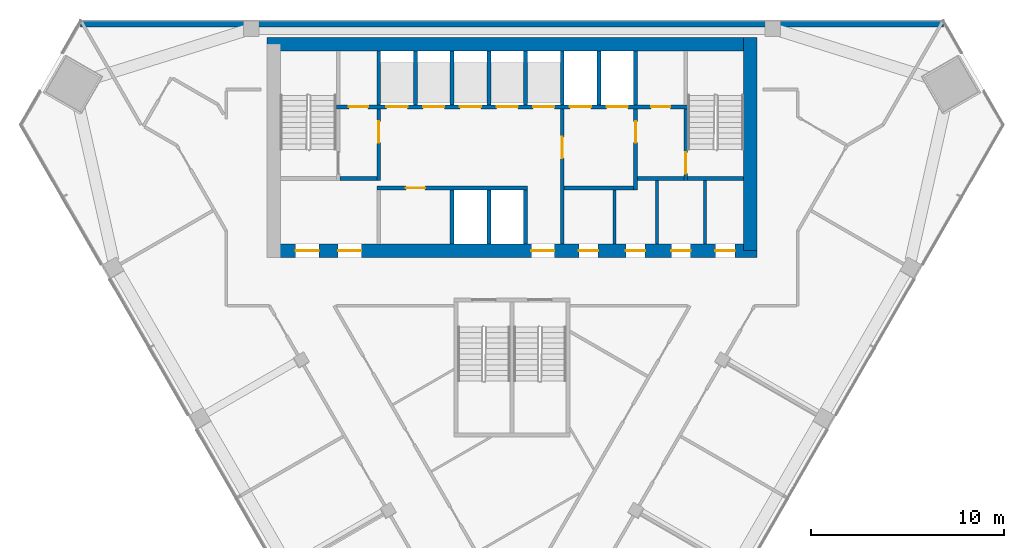
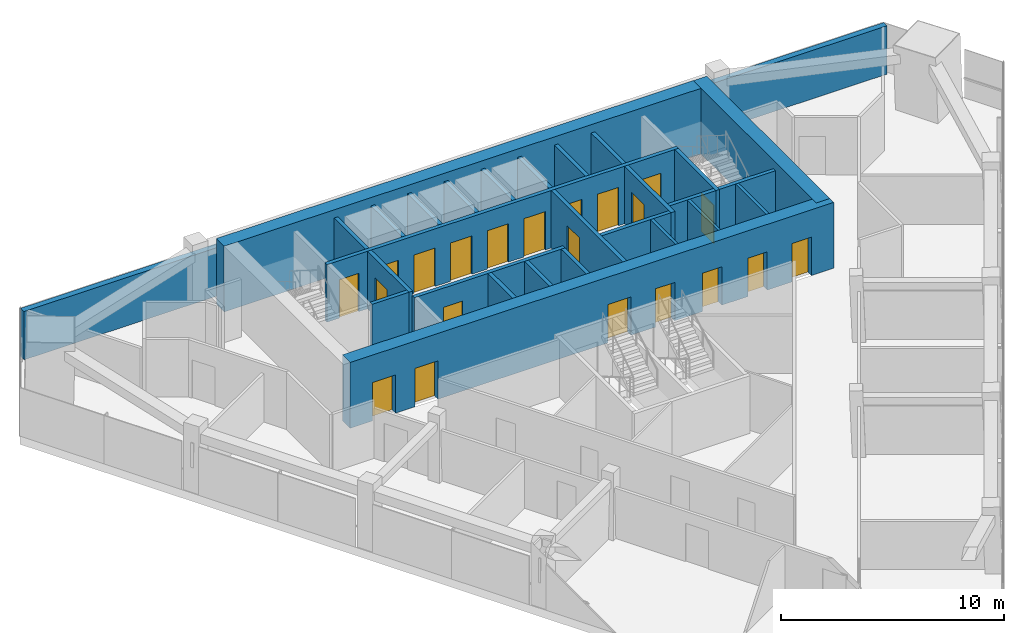
# One storey, part 10 of 13: 28 walls, 21 doors, 21 openings.
"""IFC4 building model written with IfcOpenShell, lengths in metres."""

from ifc_helpers import new_model, si_unit, direction, frame, frame_2d, origin, place, context, subcontext, project, spatial, rectangle, extrude, material, layer, layer_set, type_object, element, fill, save


model = new_model("IFC4")

# Units and contexts
model_context = context("Model", 3, precision=1e-05, world=origin(), true_north=direction((0.0, 1.0)))
body_context = subcontext(model_context, "Body", "Model", "MODEL_VIEW")
ifc_project = project(units=[si_unit("LENGTHUNIT", "METRE"), si_unit("AREAUNIT", "SQUARE_METRE"), si_unit("VOLUMEUNIT", "CUBIC_METRE"), si_unit("PLANEANGLEUNIT", "RADIAN"), si_unit("MASSUNIT", "GRAM", prefix="KILO")], contexts=[model_context])

# Site, building, storey
site_placement = place(None, origin())
site = spatial("IfcSite", under=ifc_project, at=site_placement, CompositionType="ELEMENT")
building_placement = place(site_placement, origin())
building = spatial("IfcBuilding", under=site, at=building_placement, Name="Altiplano Prism Tower", CompositionType="ELEMENT")
storey_placement = place(building_placement, frame((0.0, 0.0, 201.60009765625)))
storey = spatial("IfcBuildingStorey", under=building, at=storey_placement, Name="L52", CompositionType="ELEMENT", Elevation=201.60009765625)

# Wall, openings, doors
ifc_material_1 = material(Name="Concrete C60/75", Category="concrete")
ifc_layer_1 = layer(ifc_material_1, 0.699951171875)
ifc_layer_set_1 = layer_set([ifc_layer_1], Name="Concrete C60/75")
wall_type_1 = type_object("IfcWallType", Name="Core wall 700", PredefinedType="SHEAR", material=ifc_layer_set_1)
wall_1_placement = place(storey_placement, frame((72.64990234375, 93.050048828125, 0.0), z_axis=(0.0, 0.0, 1.0), x_axis=(1.0, 0.0, 0.0)))
wall_1 = element("IfcWall", 1, at=wall_1_placement, inside=storey, type_object=wall_type_1, Name="Core wall S L52", PredefinedType="SHEAR", context=body_context, shape_type="SweptSolid", body=[
    extrude(rectangle(XDim=25.050048828125, YDim=0.699951171875, at=frame_2d((12.52490234375, 0.0))), origin(), (0.0, 0.0, 1.0), 3.599853515625),
])
opening_1_placement = place(wall_1_placement, frame((1.14990234375, 0.0, 0.0)))
opening_1 = element("IfcOpeningElement", 2, at=opening_1_placement, cuts=wall_1, Name="Opening D3302", PredefinedType="OPENING", context=body_context, shape_type="SweptSolid", body=[
    extrude(rectangle(XDim=1.199951171875, YDim=2.10009765625, at=frame_2d((0.60009765625, 1.050048828125))), frame((0.0, 0.3603515625, 0.0), z_axis=(0.0, -1.0, 0.0), x_axis=(1.0, 0.0, 0.0)), (0.0, 0.0, 1.0), 0.720947265625),
])
opening_2_placement = place(wall_1_placement, frame((3.35009765625, 0.0, 0.0)))
opening_2 = element("IfcOpeningElement", 3, at=opening_2_placement, cuts=wall_1, Name="Opening D3303", PredefinedType="OPENING", context=body_context, shape_type="SweptSolid", body=[
    extrude(rectangle(XDim=1.199951171875, YDim=2.10009765625, at=frame_2d((0.60009765625, 1.050048828125))), frame((0.0, 0.3603515625, 0.0), z_axis=(0.0, -1.0, 0.0), x_axis=(1.0, 0.0, 0.0)), (0.0, 0.0, 1.0), 0.720947265625),
])
opening_3_placement = place(wall_1_placement, frame((13.35009765625, 0.0, 0.0)))
opening_3 = element("IfcOpeningElement", 4, at=opening_3_placement, cuts=wall_1, Name="Opening D3304", PredefinedType="OPENING", context=body_context, shape_type="SweptSolid", body=[
    extrude(rectangle(XDim=1.199951171875, YDim=2.10009765625, at=frame_2d((0.60009765625, 1.050048828125))), frame((0.0, 0.3603515625, 0.0), z_axis=(0.0, -1.0, 0.0), x_axis=(1.0, 0.0, 0.0)), (0.0, 0.0, 1.0), 0.720947265625),
])
opening_4_placement = place(wall_1_placement, frame((15.8125, 0.0, 0.0)))
opening_4 = element("IfcOpeningElement", 5, at=opening_4_placement, cuts=wall_1, Name="Opening D3307", PredefinedType="OPENING", context=body_context, shape_type="SweptSolid", body=[
    extrude(rectangle(XDim=1.0, YDim=2.10009765625, at=frame_2d((0.5, 1.050048828125))), frame((0.0, 0.3603515625, 0.0), z_axis=(0.0, -1.0, 0.0), x_axis=(1.0, 0.0, 0.0)), (0.0, 0.0, 1.0), 0.720947265625),
])
opening_5_placement = place(wall_1_placement, frame((18.25, 0.0, 0.0)))
opening_5 = element("IfcOpeningElement", 6, at=opening_5_placement, cuts=wall_1, Name="Opening D3308", PredefinedType="OPENING", context=body_context, shape_type="SweptSolid", body=[
    extrude(rectangle(XDim=1.0, YDim=2.10009765625, at=frame_2d((0.5, 1.050048828125))), frame((0.0, 0.3603515625, 0.0), z_axis=(0.0, -1.0, 0.0), x_axis=(1.0, 0.0, 0.0)), (0.0, 0.0, 1.0), 0.720947265625),
])
opening_6_placement = place(wall_1_placement, frame((20.60009765625, 0.0, 0.0)))
opening_6 = element("IfcOpeningElement", 7, at=opening_6_placement, cuts=wall_1, Name="Opening D3309", PredefinedType="OPENING", context=body_context, shape_type="SweptSolid", body=[
    extrude(rectangle(XDim=1.0, YDim=2.10009765625, at=frame_2d((0.5, 1.050048828125))), frame((0.0, 0.3603515625, 0.0), z_axis=(0.0, -1.0, 0.0), x_axis=(1.0, 0.0, 0.0)), (0.0, 0.0, 1.0), 0.720947265625),
])
opening_7_placement = place(wall_1_placement, frame((22.887451171875, 0.0, 0.0)))
opening_7 = element("IfcOpeningElement", 8, at=opening_7_placement, cuts=wall_1, Name="Opening D3310", PredefinedType="OPENING", context=body_context, shape_type="SweptSolid", body=[
    extrude(rectangle(XDim=1.0, YDim=2.10009765625, at=frame_2d((0.5, 1.050048828125))), frame((0.0, 0.3603515625, 0.0), z_axis=(0.0, -1.0, 0.0), x_axis=(1.0, 0.0, 0.0)), (0.0, 0.0, 1.0), 0.720947265625),
])
ifc_material_2 = material(Name="Fire-rated steel door", Category="steel")
door_type_1 = type_object("IfcDoorType", Name="Core room door 1000 x 2100", OperationType="NOTDEFINED", PredefinedType="NOTDEFINED", material=ifc_material_2)
door_1_placement = place(opening_4_placement, origin())
door_1 = element("IfcDoor", 9, at=door_1_placement, inside=storey, type_object=door_type_1, Name="Core room door D3307", OperationType="SINGLE_SWING_RIGHT", OverallHeight=2.10009765625, OverallWidth=1.0, PredefinedType="NOTDEFINED", context=body_context, shape_type="SweptSolid", body=[
    extrude(rectangle(XDim=1.0, YDim=2.10009765625, at=frame_2d((0.5, 1.050048828125))), frame((0.0, 0.02490234375, 0.0), z_axis=(0.0, -1.0, 0.0), x_axis=(1.0, 0.0, 0.0)), (0.0, 0.0, 1.0), 0.050048828125),
])
fill(opening_4, door_1)
door_2_placement = place(opening_5_placement, origin())
door_2 = element("IfcDoor", 10, at=door_2_placement, inside=storey, type_object=door_type_1, Name="Core room door D3308", OperationType="SINGLE_SWING_LEFT", OverallHeight=2.10009765625, OverallWidth=1.0, PredefinedType="NOTDEFINED", context=body_context, shape_type="SweptSolid", body=[
    extrude(rectangle(XDim=1.0, YDim=2.10009765625, at=frame_2d((0.5, 1.050048828125))), frame((0.0, 0.02490234375, 0.0), z_axis=(0.0, -1.0, 0.0), x_axis=(1.0, 0.0, 0.0)), (0.0, 0.0, 1.0), 0.050048828125),
])
fill(opening_5, door_2)
door_3_placement = place(opening_6_placement, origin())
door_3 = element("IfcDoor", 11, at=door_3_placement, inside=storey, type_object=door_type_1, Name="Core room door D3309", OperationType="SINGLE_SWING_RIGHT", OverallHeight=2.10009765625, OverallWidth=1.0, PredefinedType="NOTDEFINED", context=body_context, shape_type="SweptSolid", body=[
    extrude(rectangle(XDim=1.0, YDim=2.10009765625, at=frame_2d((0.5, 1.050048828125))), frame((0.0, 0.02490234375, 0.0), z_axis=(0.0, -1.0, 0.0), x_axis=(1.0, 0.0, 0.0)), (0.0, 0.0, 1.0), 0.050048828125),
])
fill(opening_6, door_3)
door_4_placement = place(opening_7_placement, origin())
door_4 = element("IfcDoor", 12, at=door_4_placement, inside=storey, type_object=door_type_1, Name="Core room door D3310", OperationType="SINGLE_SWING_LEFT", OverallHeight=2.10009765625, OverallWidth=1.0, PredefinedType="NOTDEFINED", context=body_context, shape_type="SweptSolid", body=[
    extrude(rectangle(XDim=1.0, YDim=2.10009765625, at=frame_2d((0.5, 1.050048828125))), frame((0.0, 0.02490234375, 0.0), z_axis=(0.0, -1.0, 0.0), x_axis=(1.0, 0.0, 0.0)), (0.0, 0.0, 1.0), 0.050048828125),
])
fill(opening_7, door_4)
door_type_2 = type_object("IfcDoorType", Name="Lobby fire door 1200 x 2100", OperationType="NOTDEFINED", PredefinedType="NOTDEFINED", material=ifc_material_2)
door_5_placement = place(opening_1_placement, origin())
door_5 = element("IfcDoor", 13, at=door_5_placement, inside=storey, type_object=door_type_2, Name="Lobby fire door D3302", OperationType="SINGLE_SWING_RIGHT", OverallHeight=2.10009765625, OverallWidth=1.199951171875, PredefinedType="NOTDEFINED", context=body_context, shape_type="SweptSolid", body=[
    extrude(rectangle(XDim=1.199951171875, YDim=2.10009765625, at=frame_2d((0.60009765625, 1.050048828125))), frame((0.0, 0.02490234375, 0.0), z_axis=(0.0, -1.0, 0.0), x_axis=(1.0, 0.0, 0.0)), (0.0, 0.0, 1.0), 0.050048828125),
])
fill(opening_1, door_5)
door_6_placement = place(opening_2_placement, origin())
door_6 = element("IfcDoor", 14, at=door_6_placement, inside=storey, type_object=door_type_2, Name="Lobby fire door D3303", OperationType="SINGLE_SWING_LEFT", OverallHeight=2.10009765625, OverallWidth=1.199951171875, PredefinedType="NOTDEFINED", context=body_context, shape_type="SweptSolid", body=[
    extrude(rectangle(XDim=1.199951171875, YDim=2.10009765625, at=frame_2d((0.60009765625, 1.050048828125))), frame((0.0, 0.02490234375, 0.0), z_axis=(0.0, -1.0, 0.0), x_axis=(1.0, 0.0, 0.0)), (0.0, 0.0, 1.0), 0.050048828125),
])
fill(opening_2, door_6)
door_7_placement = place(opening_3_placement, origin())
door_7 = element("IfcDoor", 15, at=door_7_placement, inside=storey, type_object=door_type_2, Name="Lobby fire door D3304", OperationType="SINGLE_SWING_RIGHT", OverallHeight=2.10009765625, OverallWidth=1.199951171875, PredefinedType="NOTDEFINED", context=body_context, shape_type="SweptSolid", body=[
    extrude(rectangle(XDim=1.199951171875, YDim=2.10009765625, at=frame_2d((0.60009765625, 1.050048828125))), frame((0.0, 0.02490234375, 0.0), z_axis=(0.0, -1.0, 0.0), x_axis=(1.0, 0.0, 0.0)), (0.0, 0.0, 1.0), 0.050048828125),
])
fill(opening_3, door_7)

# Walls
wall_2_placement = place(storey_placement, frame((97.35009765625, 93.050048828125, 0.0), z_axis=(0.0, 0.0, 1.0), x_axis=(0.0, 1.0, 0.0)))
element("IfcWall", 16, at=wall_2_placement, inside=storey, type_object=wall_type_1, Name="Core wall E L52", PredefinedType="SHEAR", context=body_context, shape_type="SweptSolid", body=[
    extrude(rectangle(XDim=11.050048828125, YDim=0.699951171875, at=frame_2d((5.52490234375, 0.0))), origin(), (0.0, 0.0, 1.0), 3.599853515625),
])
wall_3_placement = place(storey_placement, frame((97.35009765625, 103.75, 0.0), z_axis=(0.0, 0.0, 1.0), x_axis=(-1.0, 0.0, 0.0)))
element("IfcWall", 17, at=wall_3_placement, inside=storey, type_object=wall_type_1, Name="Core wall N L52", PredefinedType="SHEAR", context=body_context, shape_type="SweptSolid", body=[
    extrude(rectangle(XDim=25.050048828125, YDim=0.699951171875, at=frame_2d((12.52490234375, 0.0))), origin(), (0.0, 0.0, 1.0), 3.599853515625),
])
ifc_material_3 = material(Name="Fire-rated gypsum board partition")
ifc_layer_2 = layer(ifc_material_3, 0.14990234375)
ifc_layer_set_2 = layer_set([ifc_layer_2], Name="Fire-rated gypsum board partition")
wall_type_2 = type_object("IfcWallType", Name="Room partition 150", PredefinedType="PARTITIONING", material=ifc_layer_set_2)
wall_4_placement = place(storey_placement, frame((90.300048828125, 93.39990234375, 0.0), z_axis=(0.0, 0.0, 1.0), x_axis=(0.0, 1.0, 0.0)))
element("IfcWall", 18, at=wall_4_placement, inside=storey, type_object=wall_type_2, Name="Room partition L52", PredefinedType="PARTITIONING", context=body_context, shape_type="SweptSolid", body=[
    extrude(rectangle(XDim=2.800048828125, YDim=0.14990234375, at=frame_2d((1.39990234375, 0.0))), origin(), (0.0, 0.0, 1.0), 3.14990234375),
])
for number, where, z_axis, x_axis, name in (
    (19, (92.5, 93.39990234375, 0.0), (0.0, 0.0, 1.0), (0.0, 1.0, 0.0), "Room partition L52"),
    (20, (95.0, 93.39990234375, 0.0), (0.0, 0.0, 1.0), (0.0, 1.0, 0.0), "Room partition L52"),
):
    element("IfcWall", number, at=place(storey_placement, frame(where, z_axis=z_axis, x_axis=x_axis)), inside=storey, type_object=wall_type_2, Name=name, PredefinedType="PARTITIONING", context=body_context, shape_type="SweptSolid", body=[
        extrude(rectangle(XDim=3.300048828125, YDim=0.14990234375, at=frame_2d((1.64990234375, 0.0))), origin(), (0.0, 0.0, 1.0), 3.14990234375),
    ])
ifc_layer_3 = layer(ifc_material_1, 0.199951171875)
ifc_layer_set_3 = layer_set([ifc_layer_3], Name="Concrete C60/75")
wall_type_3 = type_object("IfcWallType", Name="Shaft wall 200", PredefinedType="SOLIDWALL", material=ifc_layer_set_3)
for number, where, z_axis, x_axis, name in (
    (21, (81.89990234375, 93.39990234375, 0.0), (0.0, 0.0, 1.0), (0.0, 1.0, 0.0), "Shaft wall L52"),
    (22, (83.800048828125, 93.39990234375, 0.0), (0.0, 0.0, 1.0), (0.0, 1.0, 0.0), "Shaft wall L52"),
    (23, (85.699951171875, 93.39990234375, 0.0), (0.0, 0.0, 1.0), (0.0, 1.0, 0.0), "Shaft wall L52"),
):
    element("IfcWall", number, at=place(storey_placement, frame(where, z_axis=z_axis, x_axis=x_axis)), inside=storey, type_object=wall_type_3, Name=name, PredefinedType="SOLIDWALL", context=body_context, shape_type="SweptSolid", body=[
        extrude(rectangle(XDim=2.800048828125, YDim=0.199951171875, at=frame_2d((1.39990234375, 0.0))), origin(), (0.0, 0.0, 1.0), 3.14990234375),
    ])

# Wall, opening, door
wall_5_placement = place(storey_placement, frame((78.0, 96.300048828125, 0.0), z_axis=(0.0, 0.0, 1.0), x_axis=(1.0, 0.0, 0.0)))
wall_5 = element("IfcWall", 24, at=wall_5_placement, inside=storey, type_object=wall_type_3, Name="Shaft wall L52", PredefinedType="SOLIDWALL", context=body_context, shape_type="SweptSolid", body=[
    extrude(rectangle(XDim=7.800048828125, YDim=0.199951171875, at=frame_2d((3.89990234375, 0.0))), origin(), (0.0, 0.0, 1.0), 3.14990234375),
])
opening_8_placement = place(wall_5_placement, frame((1.5, 0.0, 0.0)))
opening_8 = element("IfcOpeningElement", 25, at=opening_8_placement, cuts=wall_5, Name="Opening D3311", PredefinedType="OPENING", context=body_context, shape_type="SweptSolid", body=[
    extrude(rectangle(XDim=1.0, YDim=2.10009765625, at=frame_2d((0.5, 1.050048828125))), frame((0.0, 0.1103515625, 0.0), z_axis=(0.0, -1.0, 0.0), x_axis=(1.0, 0.0, 0.0)), (0.0, 0.0, 1.0), 0.220947265625),
])
door_8_placement = place(opening_8_placement, origin())
door_8 = element("IfcDoor", 26, at=door_8_placement, inside=storey, type_object=door_type_1, Name="Core room door D3311", OperationType="SINGLE_SWING_RIGHT", OverallHeight=2.10009765625, OverallWidth=1.0, PredefinedType="NOTDEFINED", context=body_context, shape_type="SweptSolid", body=[
    extrude(rectangle(XDim=1.0, YDim=2.10009765625, at=frame_2d((0.5, 1.050048828125))), frame((0.0, 0.02490234375, 0.0), z_axis=(0.0, -1.0, 0.0), x_axis=(1.0, 0.0, 0.0)), (0.0, 0.0, 1.0), 0.050048828125),
])
fill(opening_8, door_8)

# Walls
for number, where, z_axis, x_axis, name in (
    (27, (78.10009765625, 100.60009765625, 0.0), (0.0, 0.0, 1.0), (0.0, 1.0, 0.0), "Shaft wall L52"),
    (28, (80.0, 100.60009765625, 0.0), (0.0, 0.0, 1.0), (0.0, 1.0, 0.0), "Shaft wall L52"),
    (29, (81.89990234375, 100.60009765625, 0.0), (0.0, 0.0, 1.0), (0.0, 1.0, 0.0), "Shaft wall L52"),
    (30, (83.800048828125, 100.60009765625, 0.0), (0.0, 0.0, 1.0), (0.0, 1.0, 0.0), "Shaft wall L52"),
    (31, (85.699951171875, 100.60009765625, 0.0), (0.0, 0.0, 1.0), (0.0, 1.0, 0.0), "Shaft wall L52"),
    (32, (87.60009765625, 100.60009765625, 0.0), (0.0, 0.0, 1.0), (0.0, 1.0, 0.0), "Shaft wall L52"),
    (33, (89.5, 100.60009765625, 0.0), (0.0, 0.0, 1.0), (0.0, 1.0, 0.0), "Shaft wall L52"),
    (34, (91.39990234375, 100.60009765625, 0.0), (0.0, 0.0, 1.0), (0.0, 1.0, 0.0), "Shaft wall L52"),
):
    element("IfcWall", number, at=place(storey_placement, frame(where, z_axis=z_axis, x_axis=x_axis)), inside=storey, type_object=wall_type_3, Name=name, PredefinedType="SOLIDWALL", context=body_context, shape_type="SweptSolid", body=[
        extrude(rectangle(XDim=2.7998046875, YDim=0.199951171875, at=frame_2d((1.39990234375, 0.0))), origin(), (0.0, 0.0, 1.0), 3.14990234375),
    ])

# Wall, opening, door
ifc_layer_4 = layer(ifc_material_1, 0.199951171875)
ifc_layer_set_4 = layer_set([ifc_layer_4], Name="Concrete C60/75")
wall_type_4 = type_object("IfcWallType", Name="Stair wall 200", PredefinedType="SOLIDWALL", material=ifc_layer_set_4)
wall_6_placement = place(storey_placement, frame((94.0, 96.699951171875, 0.0), z_axis=(0.0, 0.0, 1.0), x_axis=(0.0, 1.0, 0.0)))
wall_6 = element("IfcWall", 35, at=wall_6_placement, inside=storey, type_object=wall_type_4, Name="Stair wall L52", PredefinedType="SOLIDWALL", context=body_context, shape_type="SweptSolid", body=[
    extrude(rectangle(XDim=3.699951171875, YDim=0.199951171875, at=frame_2d((1.85009765625, 0.0))), origin(), (0.0, 0.0, 1.0), 3.14990234375),
])
opening_9_placement = place(wall_6_placement, frame((0.35009765625, 0.0, 0.0)))
opening_9 = element("IfcOpeningElement", 36, at=opening_9_placement, cuts=wall_6, Name="Opening D3298", PredefinedType="OPENING", context=body_context, shape_type="SweptSolid", body=[
    extrude(rectangle(XDim=1.10009765625, YDim=2.10009765625, at=frame_2d((0.550048828125, 1.050048828125))), frame((0.0, 0.1103515625, 0.0), z_axis=(0.0, -1.0, 0.0), x_axis=(1.0, 0.0, 0.0)), (0.0, 0.0, 1.0), 0.220947265625),
])
door_type_3 = type_object("IfcDoorType", Name="Stair fire door 1100 x 2100", OperationType="NOTDEFINED", PredefinedType="NOTDEFINED", material=ifc_material_2)
door_9_placement = place(opening_9_placement, origin())
door_9 = element("IfcDoor", 37, at=door_9_placement, inside=storey, type_object=door_type_3, Name="Stair fire door D3298", OperationType="SINGLE_SWING_LEFT", OverallHeight=2.10009765625, OverallWidth=1.10009765625, PredefinedType="NOTDEFINED", context=body_context, shape_type="SweptSolid", body=[
    extrude(rectangle(XDim=1.10009765625, YDim=2.10009765625, at=frame_2d((0.550048828125, 1.050048828125))), frame((0.0, 0.02490234375, 0.0), z_axis=(0.0, -1.0, 0.0), x_axis=(1.0, 0.0, 0.0)), (0.0, 0.0, 1.0), 0.050048828125),
])
fill(opening_9, door_9)

# Wall
wall_7_placement = place(storey_placement, frame((94.10009765625, 96.800048828125, 0.0), z_axis=(0.0, 0.0, 1.0), x_axis=(1.0, 0.0, 0.0)))
element("IfcWall", 38, at=wall_7_placement, inside=storey, type_object=wall_type_4, Name="Stair wall L52", PredefinedType="SOLIDWALL", context=body_context, shape_type="SweptSolid", body=[
    extrude(rectangle(XDim=2.89990234375, YDim=0.199951171875, at=frame_2d((1.449951171875, 0.0))), origin(), (0.0, 0.0, 1.0), 3.14990234375),
])

# Wall, openings, doors
wall_8_placement = place(storey_placement, frame((75.89990234375, 100.5, 0.0), z_axis=(0.0, 0.0, 1.0), x_axis=(1.0, 0.0, 0.0)))
wall_8 = element("IfcWall", 39, at=wall_8_placement, inside=storey, type_object=wall_type_4, Name="Stair wall L52", PredefinedType="SOLIDWALL", context=body_context, shape_type="SweptSolid", body=[
    extrude(rectangle(XDim=18.2001953125, YDim=0.199951171875, at=frame_2d((9.10009765625, 0.0))), origin(), (0.0, 0.0, 1.0), 3.14990234375),
])
opening_10_placement = place(wall_8_placement, frame((2.60009765625, 0.0, 0.0)))
opening_10 = element("IfcOpeningElement", 40, at=opening_10_placement, cuts=wall_8, Name="Opening LD-ML1-L52", PredefinedType="OPENING", context=body_context, shape_type="SweptSolid", body=[
    extrude(rectangle(XDim=1.10009765625, YDim=2.10009765625, at=frame_2d((0.550048828125, 1.050048828125))), frame((0.0, 0.1103515625, 0.0), z_axis=(0.0, -1.0, 0.0), x_axis=(1.0, 0.0, 0.0)), (0.0, 0.0, 1.0), 0.220947265625),
])
opening_11_placement = place(wall_8_placement, frame((4.5, 0.0, 0.0)))
opening_11 = element("IfcOpeningElement", 41, at=opening_11_placement, cuts=wall_8, Name="Opening LD-ML2-L52", PredefinedType="OPENING", context=body_context, shape_type="SweptSolid", body=[
    extrude(rectangle(XDim=1.10009765625, YDim=2.10009765625, at=frame_2d((0.550048828125, 1.050048828125))), frame((0.0, 0.1103515625, 0.0), z_axis=(0.0, -1.0, 0.0), x_axis=(1.0, 0.0, 0.0)), (0.0, 0.0, 1.0), 0.220947265625),
])
opening_12_placement = place(wall_8_placement, frame((6.39990234375, 0.0, 0.0)))
opening_12 = element("IfcOpeningElement", 42, at=opening_12_placement, cuts=wall_8, Name="Opening LD-ML3-L52", PredefinedType="OPENING", context=body_context, shape_type="SweptSolid", body=[
    extrude(rectangle(XDim=1.10009765625, YDim=2.10009765625, at=frame_2d((0.550048828125, 1.050048828125))), frame((0.0, 0.1103515625, 0.0), z_axis=(0.0, -1.0, 0.0), x_axis=(1.0, 0.0, 0.0)), (0.0, 0.0, 1.0), 0.220947265625),
])
opening_13_placement = place(wall_8_placement, frame((8.300048828125, 0.0, 0.0)))
opening_13 = element("IfcOpeningElement", 43, at=opening_13_placement, cuts=wall_8, Name="Opening LD-ML4-L52", PredefinedType="OPENING", context=body_context, shape_type="SweptSolid", body=[
    extrude(rectangle(XDim=1.10009765625, YDim=2.10009765625, at=frame_2d((0.550048828125, 1.050048828125))), frame((0.0, 0.1103515625, 0.0), z_axis=(0.0, -1.0, 0.0), x_axis=(1.0, 0.0, 0.0)), (0.0, 0.0, 1.0), 0.220947265625),
])
opening_14_placement = place(wall_8_placement, frame((10.199951171875, 0.0, 0.0)))
opening_14 = element("IfcOpeningElement", 44, at=opening_14_placement, cuts=wall_8, Name="Opening LD-ML5-L52", PredefinedType="OPENING", context=body_context, shape_type="SweptSolid", body=[
    extrude(rectangle(XDim=1.10009765625, YDim=2.10009765625, at=frame_2d((0.550048828125, 1.050048828125))), frame((0.0, 0.1103515625, 0.0), z_axis=(0.0, -1.0, 0.0), x_axis=(1.0, 0.0, 0.0)), (0.0, 0.0, 1.0), 0.220947265625),
])
opening_15_placement = place(wall_8_placement, frame((12.10009765625, 0.0, 0.0)))
opening_15 = element("IfcOpeningElement", 45, at=opening_15_placement, cuts=wall_8, Name="Opening LD-FF1-L52", PredefinedType="OPENING", context=body_context, shape_type="SweptSolid", body=[
    extrude(rectangle(XDim=1.10009765625, YDim=2.10009765625, at=frame_2d((0.550048828125, 1.050048828125))), frame((0.0, 0.1103515625, 0.0), z_axis=(0.0, -1.0, 0.0), x_axis=(1.0, 0.0, 0.0)), (0.0, 0.0, 1.0), 0.220947265625),
])
opening_16_placement = place(wall_8_placement, frame((14.0, 0.0, 0.0)))
opening_16 = element("IfcOpeningElement", 46, at=opening_16_placement, cuts=wall_8, Name="Opening LD-FF2-L52", PredefinedType="OPENING", context=body_context, shape_type="SweptSolid", body=[
    extrude(rectangle(XDim=1.10009765625, YDim=2.10009765625, at=frame_2d((0.550048828125, 1.050048828125))), frame((0.0, 0.1103515625, 0.0), z_axis=(0.0, -1.0, 0.0), x_axis=(1.0, 0.0, 0.0)), (0.0, 0.0, 1.0), 0.220947265625),
])
opening_17_placement = place(wall_8_placement, frame((0.64990234375, 0.0, 0.0)))
opening_17 = element("IfcOpeningElement", 47, at=opening_17_placement, cuts=wall_8, Name="Opening D3305", PredefinedType="OPENING", context=body_context, shape_type="SweptSolid", body=[
    extrude(rectangle(XDim=1.0, YDim=2.10009765625, at=frame_2d((0.5, 1.050048828125))), frame((0.0, 0.1103515625, 0.0), z_axis=(0.0, -1.0, 0.0), x_axis=(1.0, 0.0, 0.0)), (0.0, 0.0, 1.0), 0.220947265625),
])
opening_18_placement = place(wall_8_placement, frame((16.300048828125, 0.0, 0.0)))
opening_18 = element("IfcOpeningElement", 48, at=opening_18_placement, cuts=wall_8, Name="Opening D3306", PredefinedType="OPENING", context=body_context, shape_type="SweptSolid", body=[
    extrude(rectangle(XDim=1.0, YDim=2.10009765625, at=frame_2d((0.5, 1.050048828125))), frame((0.0, 0.1103515625, 0.0), z_axis=(0.0, -1.0, 0.0), x_axis=(1.0, 0.0, 0.0)), (0.0, 0.0, 1.0), 0.220947265625),
])
door_10_placement = place(opening_17_placement, origin())
door_10 = element("IfcDoor", 49, at=door_10_placement, inside=storey, type_object=door_type_1, Name="Core room door D3305", OperationType="SINGLE_SWING_LEFT", OverallHeight=2.10009765625, OverallWidth=1.0, PredefinedType="NOTDEFINED", context=body_context, shape_type="SweptSolid", body=[
    extrude(rectangle(XDim=1.0, YDim=2.10009765625, at=frame_2d((0.5, 1.050048828125))), frame((0.0, 0.02490234375, 0.0), z_axis=(0.0, -1.0, 0.0), x_axis=(1.0, 0.0, 0.0)), (0.0, 0.0, 1.0), 0.050048828125),
])
fill(opening_17, door_10)
door_11_placement = place(opening_18_placement, origin())
door_11 = element("IfcDoor", 50, at=door_11_placement, inside=storey, type_object=door_type_1, Name="Core room door D3306", OperationType="SINGLE_SWING_RIGHT", OverallHeight=2.10009765625, OverallWidth=1.0, PredefinedType="NOTDEFINED", context=body_context, shape_type="SweptSolid", body=[
    extrude(rectangle(XDim=1.0, YDim=2.10009765625, at=frame_2d((0.5, 1.050048828125))), frame((0.0, 0.02490234375, 0.0), z_axis=(0.0, -1.0, 0.0), x_axis=(1.0, 0.0, 0.0)), (0.0, 0.0, 1.0), 0.050048828125),
])
fill(opening_18, door_11)
ifc_material_4 = material(Name="Stainless steel landing door", Category="steel")
door_type_4 = type_object("IfcDoorType", Name="Landing door 1100 x 2100", OperationType="NOTDEFINED", PredefinedType="NOTDEFINED", material=ifc_material_4)
door_12_placement = place(opening_10_placement, origin())
door_12 = element("IfcDoor", 51, at=door_12_placement, inside=storey, type_object=door_type_4, Name="Landing doors ML1", OperationType="SLIDING_TO_RIGHT", OverallHeight=2.10009765625, OverallWidth=1.10009765625, PredefinedType="NOTDEFINED", context=body_context, shape_type="SweptSolid", body=[
    extrude(rectangle(XDim=1.10009765625, YDim=2.10009765625, at=frame_2d((0.550048828125, 1.050048828125))), frame((0.0, 0.02490234375, 0.0), z_axis=(0.0, -1.0, 0.0), x_axis=(1.0, 0.0, 0.0)), (0.0, 0.0, 1.0), 0.050048828125),
])
fill(opening_10, door_12)
door_13_placement = place(opening_11_placement, origin())
door_13 = element("IfcDoor", 52, at=door_13_placement, inside=storey, type_object=door_type_4, Name="Landing doors ML2", OperationType="SLIDING_TO_LEFT", OverallHeight=2.10009765625, OverallWidth=1.10009765625, PredefinedType="NOTDEFINED", context=body_context, shape_type="SweptSolid", body=[
    extrude(rectangle(XDim=1.10009765625, YDim=2.10009765625, at=frame_2d((0.550048828125, 1.050048828125))), frame((0.0, 0.02490234375, 0.0), z_axis=(0.0, -1.0, 0.0), x_axis=(1.0, 0.0, 0.0)), (0.0, 0.0, 1.0), 0.050048828125),
])
fill(opening_11, door_13)
door_14_placement = place(opening_12_placement, origin())
door_14 = element("IfcDoor", 53, at=door_14_placement, inside=storey, type_object=door_type_4, Name="Landing doors ML3", OperationType="SLIDING_TO_RIGHT", OverallHeight=2.10009765625, OverallWidth=1.10009765625, PredefinedType="NOTDEFINED", context=body_context, shape_type="SweptSolid", body=[
    extrude(rectangle(XDim=1.10009765625, YDim=2.10009765625, at=frame_2d((0.550048828125, 1.050048828125))), frame((0.0, 0.02490234375, 0.0), z_axis=(0.0, -1.0, 0.0), x_axis=(1.0, 0.0, 0.0)), (0.0, 0.0, 1.0), 0.050048828125),
])
fill(opening_12, door_14)
door_15_placement = place(opening_13_placement, origin())
door_15 = element("IfcDoor", 54, at=door_15_placement, inside=storey, type_object=door_type_4, Name="Landing doors ML4", OperationType="SLIDING_TO_LEFT", OverallHeight=2.10009765625, OverallWidth=1.10009765625, PredefinedType="NOTDEFINED", context=body_context, shape_type="SweptSolid", body=[
    extrude(rectangle(XDim=1.10009765625, YDim=2.10009765625, at=frame_2d((0.550048828125, 1.050048828125))), frame((0.0, 0.02490234375, 0.0), z_axis=(0.0, -1.0, 0.0), x_axis=(1.0, 0.0, 0.0)), (0.0, 0.0, 1.0), 0.050048828125),
])
fill(opening_13, door_15)
door_16_placement = place(opening_14_placement, origin())
door_16 = element("IfcDoor", 55, at=door_16_placement, inside=storey, type_object=door_type_4, Name="Landing doors ML5", OperationType="SLIDING_TO_RIGHT", OverallHeight=2.10009765625, OverallWidth=1.10009765625, PredefinedType="NOTDEFINED", context=body_context, shape_type="SweptSolid", body=[
    extrude(rectangle(XDim=1.10009765625, YDim=2.10009765625, at=frame_2d((0.550048828125, 1.050048828125))), frame((0.0, 0.02490234375, 0.0), z_axis=(0.0, -1.0, 0.0), x_axis=(1.0, 0.0, 0.0)), (0.0, 0.0, 1.0), 0.050048828125),
])
fill(opening_14, door_16)
door_17_placement = place(opening_15_placement, origin())
door_17 = element("IfcDoor", 56, at=door_17_placement, inside=storey, type_object=door_type_4, Name="Landing doors FF1", OperationType="SLIDING_TO_RIGHT", OverallHeight=2.10009765625, OverallWidth=1.10009765625, PredefinedType="NOTDEFINED", context=body_context, shape_type="SweptSolid", body=[
    extrude(rectangle(XDim=1.10009765625, YDim=2.10009765625, at=frame_2d((0.550048828125, 1.050048828125))), frame((0.0, 0.02490234375, 0.0), z_axis=(0.0, -1.0, 0.0), x_axis=(1.0, 0.0, 0.0)), (0.0, 0.0, 1.0), 0.050048828125),
])
fill(opening_15, door_17)
door_18_placement = place(opening_16_placement, origin())
door_18 = element("IfcDoor", 57, at=door_18_placement, inside=storey, type_object=door_type_4, Name="Landing doors FF2", OperationType="SLIDING_TO_LEFT", OverallHeight=2.10009765625, OverallWidth=1.10009765625, PredefinedType="NOTDEFINED", context=body_context, shape_type="SweptSolid", body=[
    extrude(rectangle(XDim=1.10009765625, YDim=2.10009765625, at=frame_2d((0.550048828125, 1.050048828125))), frame((0.0, 0.02490234375, 0.0), z_axis=(0.0, -1.0, 0.0), x_axis=(1.0, 0.0, 0.0)), (0.0, 0.0, 1.0), 0.050048828125),
])
fill(opening_16, door_18)

# Wall
ifc_material_5 = material(Name="Concrete C40", Category="concrete")
ifc_layer_5 = layer(ifc_material_5, 0.300048828125)
ifc_layer_set_5 = layer_set([ifc_layer_5], Name="Concrete C40")
wall_type_5 = type_object("IfcWallType", Name="Stone-clad external wall 300", PredefinedType="SOLIDWALL", material=ifc_layer_set_5)
wall_9_placement = place(storey_placement, frame((62.65283203125, 104.7900390625, 0.0), z_axis=(0.0, 0.0, 1.0), x_axis=(1.0, 0.0, 0.0)))
element("IfcWall", 58, at=wall_9_placement, inside=storey, type_object=wall_type_5, Name="External wall north face L52", PredefinedType="SOLIDWALL", context=body_context, shape_type="SweptSolid", body=[
    extrude(rectangle(XDim=44.6943359375, YDim=0.300048828125, at=frame_2d((22.34716796875, 0.0))), origin(), (0.0, 0.0, 1.0), 2.64990234375),
])

# Wall, opening, door
ifc_layer_6 = layer(ifc_material_1, 0.199951171875)
ifc_layer_set_6 = layer_set([ifc_layer_6], Name="Concrete C60/75")
wall_type_6 = type_object("IfcWallType", Name="Vestibule wall 200", PredefinedType="PARTITIONING", material=ifc_layer_set_6)
wall_10_placement = place(storey_placement, frame((87.60009765625, 93.39990234375, 0.0), z_axis=(0.0, 0.0, 1.0), x_axis=(0.0, 1.0, 0.0)))
wall_10 = element("IfcWall", 59, at=wall_10_placement, inside=storey, type_object=wall_type_6, Name="Vestibule wall L52", PredefinedType="PARTITIONING", context=body_context, shape_type="SweptSolid", body=[
    extrude(rectangle(XDim=7.0, YDim=0.199951171875, at=frame_2d((3.5, 0.0))), origin(), (0.0, 0.0, 1.0), 3.14990234375),
])
opening_19_placement = place(wall_10_placement, frame((4.449951171875, 0.0, 0.0)))
opening_19 = element("IfcOpeningElement", 60, at=opening_19_placement, cuts=wall_10, Name="Opening D3300", PredefinedType="OPENING", context=body_context, shape_type="SweptSolid", body=[
    extrude(rectangle(XDim=1.10009765625, YDim=2.10009765625, at=frame_2d((0.550048828125, 1.050048828125))), frame((0.0, 0.1103515625, 0.0), z_axis=(0.0, -1.0, 0.0), x_axis=(1.0, 0.0, 0.0)), (0.0, 0.0, 1.0), 0.220947265625),
])
door_type_5 = type_object("IfcDoorType", Name="Vestibule fire door 1100 x 2100", OperationType="NOTDEFINED", PredefinedType="NOTDEFINED", material=ifc_material_2)
door_19_placement = place(opening_19_placement, origin())
door_19 = element("IfcDoor", 61, at=door_19_placement, inside=storey, type_object=door_type_5, Name="Vestibule fire door D3300", OperationType="SINGLE_SWING_RIGHT", OverallHeight=2.10009765625, OverallWidth=1.10009765625, PredefinedType="NOTDEFINED", context=body_context, shape_type="SweptSolid", body=[
    extrude(rectangle(XDim=1.10009765625, YDim=2.10009765625, at=frame_2d((0.550048828125, 1.050048828125))), frame((0.0, 0.02490234375, 0.0), z_axis=(0.0, -1.0, 0.0), x_axis=(1.0, 0.0, 0.0)), (0.0, 0.0, 1.0), 0.050048828125),
])
fill(opening_19, door_19)

# Wall
wall_11_placement = place(storey_placement, frame((87.699951171875, 96.300048828125, 0.0), z_axis=(0.0, 0.0, 1.0), x_axis=(1.0, 0.0, 0.0)))
element("IfcWall", 62, at=wall_11_placement, inside=storey, type_object=wall_type_6, Name="Vestibule wall L52", PredefinedType="PARTITIONING", context=body_context, shape_type="SweptSolid", body=[
    extrude(rectangle(XDim=3.60009765625, YDim=0.199951171875, at=frame_2d((1.800048828125, 0.0))), origin(), (0.0, 0.0, 1.0), 3.14990234375),
])

# Wall, opening, door
wall_12_placement = place(storey_placement, frame((91.39990234375, 96.199951171875, 0.0), z_axis=(0.0, 0.0, 1.0), x_axis=(0.0, 1.0, 0.0)))
wall_12 = element("IfcWall", 63, at=wall_12_placement, inside=storey, type_object=wall_type_6, Name="Vestibule wall L52", PredefinedType="PARTITIONING", context=body_context, shape_type="SweptSolid", body=[
    extrude(rectangle(XDim=4.199951171875, YDim=0.199951171875, at=frame_2d((2.10009765625, 0.0))), origin(), (0.0, 0.0, 1.0), 3.14990234375),
])
opening_20_placement = place(wall_12_placement, frame((2.449951171875, 0.0, 0.0)))
opening_20 = element("IfcOpeningElement", 64, at=opening_20_placement, cuts=wall_12, Name="Opening D3301", PredefinedType="OPENING", context=body_context, shape_type="SweptSolid", body=[
    extrude(rectangle(XDim=1.10009765625, YDim=2.10009765625, at=frame_2d((0.550048828125, 1.050048828125))), frame((0.0, 0.1103515625, 0.0), z_axis=(0.0, -1.0, 0.0), x_axis=(1.0, 0.0, 0.0)), (0.0, 0.0, 1.0), 0.220947265625),
])
door_20_placement = place(opening_20_placement, origin())
door_20 = element("IfcDoor", 65, at=door_20_placement, inside=storey, type_object=door_type_5, Name="Vestibule fire door D3301", OperationType="SINGLE_SWING_LEFT", OverallHeight=2.10009765625, OverallWidth=1.10009765625, PredefinedType="NOTDEFINED", context=body_context, shape_type="SweptSolid", body=[
    extrude(rectangle(XDim=1.10009765625, YDim=2.10009765625, at=frame_2d((0.550048828125, 1.050048828125))), frame((0.0, 0.02490234375, 0.0), z_axis=(0.0, -1.0, 0.0), x_axis=(1.0, 0.0, 0.0)), (0.0, 0.0, 1.0), 0.050048828125),
])
fill(opening_20, door_20)

# Wall
wall_13_placement = place(storey_placement, frame((76.10009765625, 96.800048828125, 0.0), z_axis=(0.0, 0.0, 1.0), x_axis=(1.0, 0.0, 0.0)))
element("IfcWall", 66, at=wall_13_placement, inside=storey, type_object=wall_type_6, Name="Vestibule wall L52", PredefinedType="PARTITIONING", context=body_context, shape_type="SweptSolid", body=[
    extrude(rectangle(XDim=1.89990234375, YDim=0.199951171875, at=frame_2d((0.949951171875, 0.0))), origin(), (0.0, 0.0, 1.0), 3.14990234375),
])

# Wall, opening, door
wall_14_placement = place(storey_placement, frame((78.10009765625, 96.699951171875, 0.0), z_axis=(0.0, 0.0, 1.0), x_axis=(0.0, 1.0, 0.0)))
wall_14 = element("IfcWall", 67, at=wall_14_placement, inside=storey, type_object=wall_type_6, Name="Vestibule wall L52", PredefinedType="PARTITIONING", context=body_context, shape_type="SweptSolid", body=[
    extrude(rectangle(XDim=3.699951171875, YDim=0.199951171875, at=frame_2d((1.85009765625, 0.0))), origin(), (0.0, 0.0, 1.0), 3.14990234375),
])
opening_21_placement = place(wall_14_placement, frame((1.949951171875, 0.0, 0.0)))
opening_21 = element("IfcOpeningElement", 68, at=opening_21_placement, cuts=wall_14, Name="Opening D3299", PredefinedType="OPENING", context=body_context, shape_type="SweptSolid", body=[
    extrude(rectangle(XDim=1.10009765625, YDim=2.10009765625, at=frame_2d((0.550048828125, 1.050048828125))), frame((0.0, 0.1103515625, 0.0), z_axis=(0.0, -1.0, 0.0), x_axis=(1.0, 0.0, 0.0)), (0.0, 0.0, 1.0), 0.220947265625),
])
door_21_placement = place(opening_21_placement, origin())
door_21 = element("IfcDoor", 69, at=door_21_placement, inside=storey, type_object=door_type_5, Name="Vestibule fire door D3299", OperationType="SINGLE_SWING_LEFT", OverallHeight=2.10009765625, OverallWidth=1.10009765625, PredefinedType="NOTDEFINED", context=body_context, shape_type="SweptSolid", body=[
    extrude(rectangle(XDim=1.10009765625, YDim=2.10009765625, at=frame_2d((0.550048828125, 1.050048828125))), frame((0.0, 0.02490234375, 0.0), z_axis=(0.0, -1.0, 0.0), x_axis=(1.0, 0.0, 0.0)), (0.0, 0.0, 1.0), 0.050048828125),
])
fill(opening_21, door_21)

# Wall
wall_15_placement = place(storey_placement, frame((91.5, 96.800048828125, 0.0), z_axis=(0.0, 0.0, 1.0), x_axis=(1.0, 0.0, 0.0)))
element("IfcWall", 70, at=wall_15_placement, inside=storey, type_object=wall_type_6, Name="Vestibule wall L52", PredefinedType="PARTITIONING", context=body_context, shape_type="SweptSolid", body=[
    extrude(rectangle(XDim=2.39990234375, YDim=0.199951171875, at=frame_2d((1.199951171875, 0.0))), origin(), (0.0, 0.0, 1.0), 3.14990234375),
])

save(model, "model.ifc")
